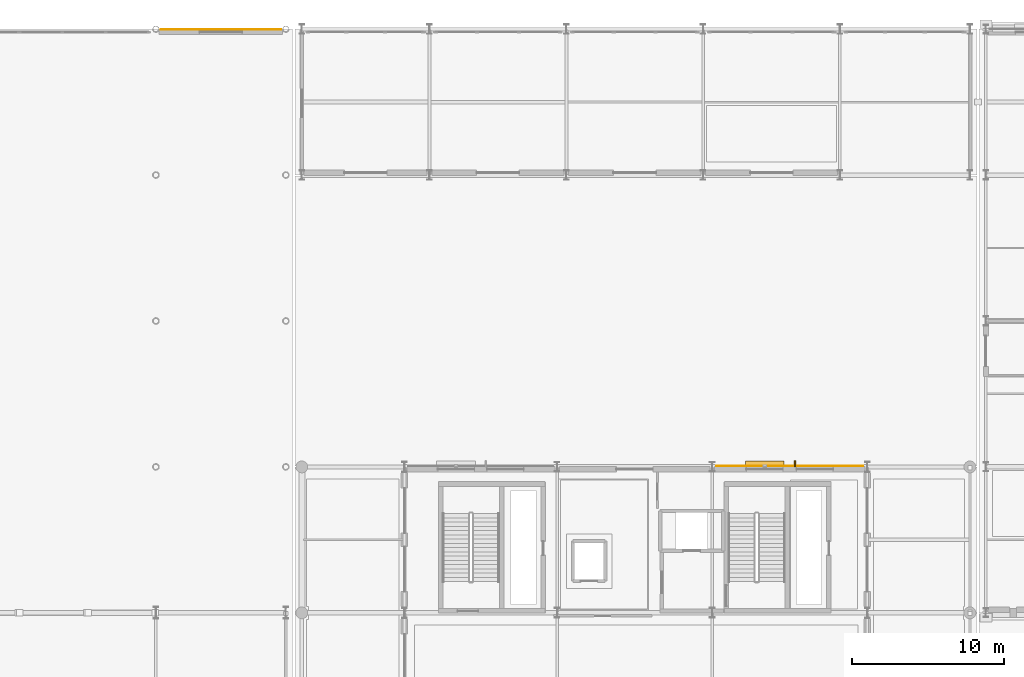
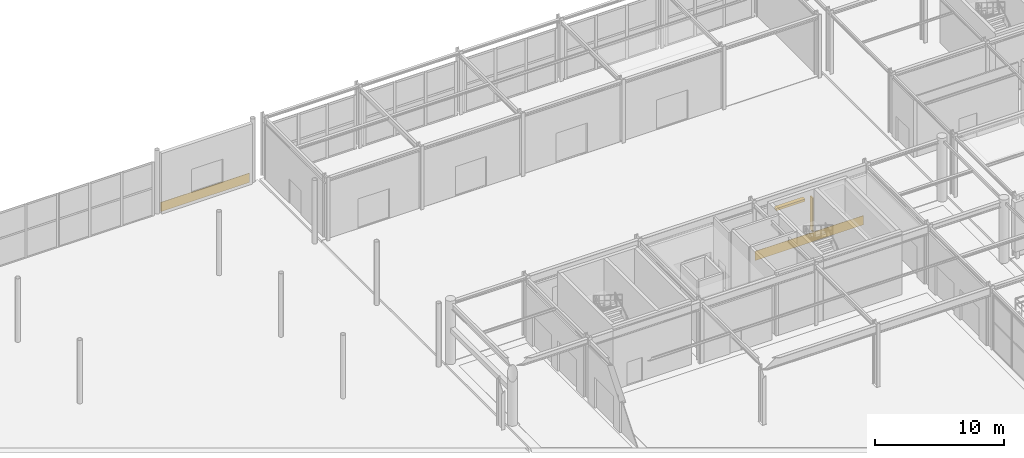
# One storey, part 95 of 113: 2 coverings, 2 shading devices.
"""IFC4 building model written with IfcOpenShell, lengths in metres."""

from ifc_helpers import new_model, si_unit, direction, frame, origin, origin_2d, place, context, subcontext, project, spatial, rectangle, extrude, material, layer, layer_set, type_object, element, save


model = new_model("IFC4")

# Units and contexts
model_context = context("Model", 3, precision=1e-05, world=origin(), true_north=direction((0.0, 1.0)))
body_context = subcontext(model_context, "Body", "Model", "MODEL_VIEW")
ifc_project = project(units=[si_unit("LENGTHUNIT", "METRE"), si_unit("AREAUNIT", "SQUARE_METRE"), si_unit("VOLUMEUNIT", "CUBIC_METRE"), si_unit("PLANEANGLEUNIT", "RADIAN"), si_unit("MASSUNIT", "GRAM", prefix="KILO")], contexts=[model_context])

# Site, building, storey
site_placement = place(None, origin())
site = spatial("IfcSite", under=ifc_project, at=site_placement, CompositionType="ELEMENT")
building_placement = place(site_placement, origin())
building = spatial("IfcBuilding", under=site, at=building_placement, Name="Myrtia Square Station", CompositionType="ELEMENT")
storey_placement = place(building_placement, origin())
storey = spatial("IfcBuildingStorey", under=building, at=storey_placement, Name="L00", CompositionType="ELEMENT", Elevation=0.0)

# Coverings
ifc_material_1 = material(Name="Polychrome glazed ceramic tile", Category="masonry")
ifc_layer = layer(ifc_material_1, 0.034912109375, Name="Polychrome glazed ceramic tile")
ifc_layer_set = layer_set([ifc_layer], Name="Polychrome glazed ceramic tile")
covering_type = type_object("IfcCoveringType", Name="COV-CLAD-FAIENCE", PredefinedType="CLADDING", material=ifc_layer_set)
covering_1_placement = place(storey_placement, frame((104.699951171875, 96.047607421875, 0.0), z_axis=(0.0, 0.0, 1.0), x_axis=(1.0, 0.0, 0.0)))
element("IfcCovering", 1, at=covering_1_placement, inside=storey, type_object=covering_type, Name="Spanish Colonial Revival dado cladding 004", PredefinedType="CLADDING", context=body_context, shape_type="SweptSolid", body=[
    extrude(rectangle(XDim=9.68994140625, YDim=0.034912109375, at=origin_2d()), origin(), (0.0, 0.0, 1.0), 0.8798828125),
])
covering_2_placement = place(storey_placement, frame((67.27490234375, 124.777587890625, 0.0), z_axis=(0.0, 0.0, 1.0), x_axis=(1.0, 0.0, 0.0)))
element("IfcCovering", 2, at=covering_2_placement, inside=storey, type_object=covering_type, Name="Spanish Colonial Revival dado cladding 010", PredefinedType="CLADDING", context=body_context, shape_type="SweptSolid", body=[
    extrude(rectangle(XDim=7.93408203125, YDim=0.034912109375, at=origin_2d()), origin(), (0.0, 0.0, 1.0), 0.8798828125),
])

# Shading devices
ifc_material_2 = material(Name="Dark bronze anodised aluminium", Category="aluminium")
shading_device_type_1 = type_object("IfcShadingDeviceType", Name="SHD-FIN-BRONZE", PredefinedType="USERDEFINED", material=ifc_material_2)
shading_device_1_placement = place(storey_placement, frame((105.048095703125, 96.219970703125, 0.89990234375), z_axis=(0.0, 0.0, 1.0), x_axis=(1.0, 0.0, 0.0)))
element("IfcShadingDevice", 3, at=shading_device_1_placement, inside=storey, type_object=shading_device_type_1, Name="Vertical bronze solar fin SHF-004", ObjectType="FIN", PredefinedType="USERDEFINED", context=body_context, shape_type="SweptSolid", body=[
    extrude(rectangle(XDim=0.080078125, YDim=0.389892578125, at=origin_2d()), origin(), (0.0, 0.0, 1.0), 3.199951171875),
])
shading_device_type_2 = type_object("IfcShadingDeviceType", Name="SHD-JALOUSIE-BRONZE", PredefinedType="JALOUSIE", material=ifc_material_2)
shading_device_2_placement = place(storey_placement, frame((103.052001953125, 96.199951171875, 4.0400390625), z_axis=(0.0, 0.0, 1.0), x_axis=(1.0, 0.0, 0.0)))
element("IfcShadingDevice", 4, at=shading_device_2_placement, inside=storey, type_object=shading_device_type_2, Name="Mediterranean bronze solar louvre SHL-004", PredefinedType="JALOUSIE", context=body_context, shape_type="SweptSolid", body=[
    extrude(rectangle(XDim=2.56005859375, YDim=0.35009765625, at=origin_2d()), origin(), (0.0, 0.0, 1.0), 0.219970703125),
])

save(model, "model.ifc")
